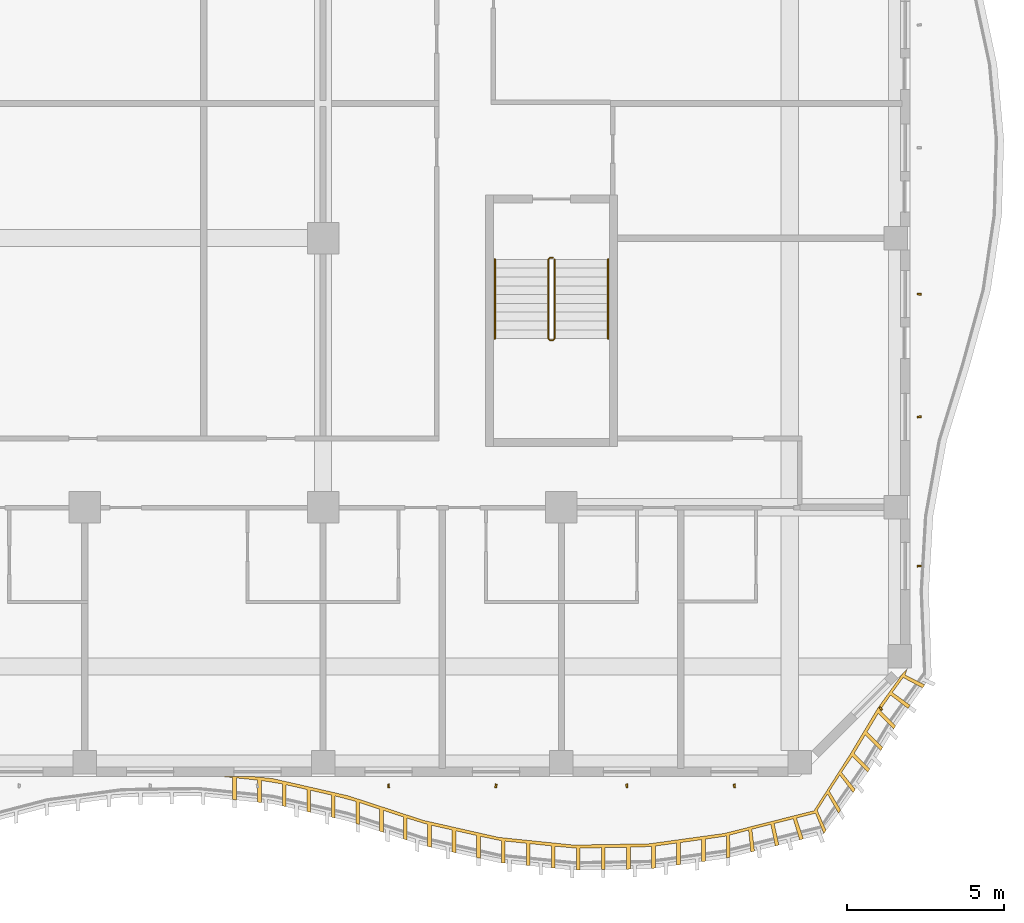
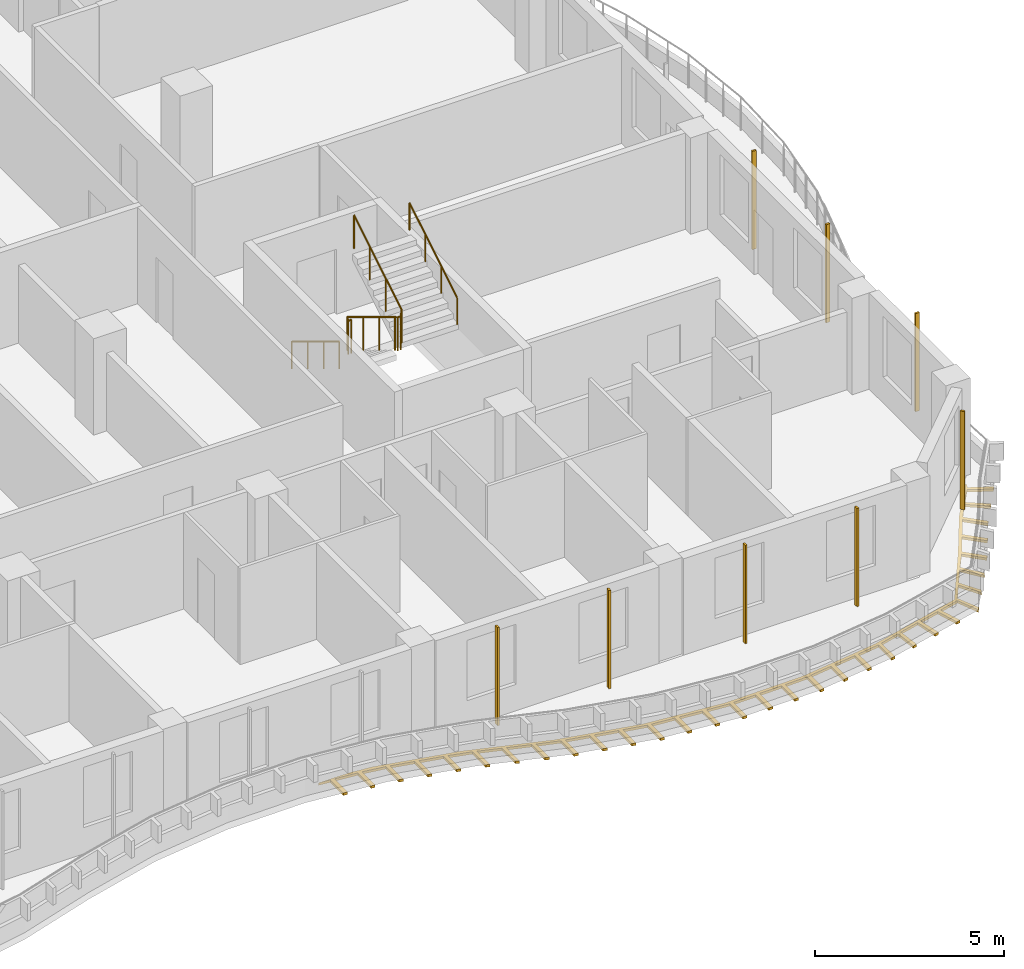
# One storey, part 18 of 21: 9 shading devices, 3 railings.
"""IFC4 building model written with IfcOpenShell, lengths in metres."""

from ifc_helpers import new_model, si_unit, direction, frame, origin, origin_2d, place, context, subcontext, project, spatial, polyline, rectangle, circle, outline, extrude, source, transform, mapped, material, layer, layer_set, material_profile, profile_set, type_object, element, save


model = new_model("IFC4")

# Units and contexts
model_context = context("Model", 3, precision=1e-05, world=origin(), true_north=direction((0.0, 1.0)))
body_context = subcontext(model_context, "Body", "Model", "MODEL_VIEW")
ifc_project = project(units=[si_unit("LENGTHUNIT", "METRE"), si_unit("AREAUNIT", "SQUARE_METRE"), si_unit("VOLUMEUNIT", "CUBIC_METRE"), si_unit("PLANEANGLEUNIT", "RADIAN"), si_unit("MASSUNIT", "GRAM", prefix="KILO")], contexts=[model_context])

# Site, building, storey
site_placement = place(None, origin())
site = spatial("IfcSite", under=ifc_project, at=site_placement, CompositionType="ELEMENT")
building_placement = place(site_placement, origin())
building = spatial("IfcBuilding", under=site, at=building_placement, Name="Kilnfold Tower and Market Hall", CompositionType="ELEMENT")
storey_placement = place(building_placement, frame((0.0, 0.0, 210.10009765625)))
storey = spatial("IfcBuildingStorey", under=building, at=storey_placement, Name="L51", CompositionType="ELEMENT", Elevation=210.10009765625)

# Railings
ifc_material_1 = material(Name="Stainless steel 316", Category="steel")
railing_type_1 = type_object("IfcRailingType", Name="CORE STAIR GUARD 1100", PredefinedType="GUARDRAIL", material=ifc_material_1)
railing_1_placement = place(storey_placement, frame((19.89990234375, -9.75, 0.0)))
element("IfcRailing", 1, at=railing_1_placement, inside=storey, type_object=railing_type_1, Name="L51 ST4 stair guard 1", PredefinedType="GUARDRAIL", context=body_context, shape_type="SweptSolid", body=[
    extrude(circle(Radius=0.02392578125, at=origin_2d()), frame((0.0, 0.0, 1.076171875), z_axis=(-1.0, 0.0, 0.0), x_axis=(0.0, -1.0, 0.0)), (0.0, 0.0, 1.0), 0.099853515625),
    extrude(circle(Radius=0.02392578125, at=origin_2d()), frame((-0.099853515625, 0.0, 1.076171875), z_axis=(-0.271895245746, -0.271895245746, 0.923117517265), x_axis=(0.707106781187, -0.707106781187, 0.0)), (0.0, 0.0, 1.0), 0.18408203125),
    extrude(circle(Radius=0.02392578125, at=origin_2d()), frame((-0.14990234375, -0.050048828125, 1.24609375), z_axis=(0.0, -0.85478489116, 0.518982456201), x_axis=(1.0, 0.0, 0.0)), (0.0, 0.0, 1.0), 2.9482421875),
    extrude(circle(Radius=0.02392578125, at=origin_2d()), frame((-0.14990234375, -2.570068359375, 2.77587890625), z_axis=(0.707106781187, -0.707106781187, 0.0), x_axis=(0.707106781187, 0.707106781187, 0.0)), (0.0, 0.0, 1.0), 0.07080078125),
    extrude(circle(Radius=0.02392578125, at=origin_2d()), frame((-0.099853515625, -2.6201171875, 2.77587890625), z_axis=(1.0, 0.0, 0.0), x_axis=(0.0, 1.0, 0.0)), (0.0, 0.0, 1.0), 0.099853515625),
    extrude(circle(Radius=0.02392578125, at=origin_2d()), frame((0.0, -2.6201171875, 2.77587890625), z_axis=(0.271895245746, 0.271895245746, 0.923117517265), x_axis=(-0.707106781187, 0.707106781187, 0.0)), (0.0, 0.0, 1.0), 0.18408203125),
    extrude(circle(Radius=0.02392578125, at=origin_2d()), frame((0.050048828125, -2.570068359375, 2.94580078125), z_axis=(0.0, 0.85478489116, 0.518982456201), x_axis=(-1.0, 0.0, 0.0)), (0.0, 0.0, 1.0), 2.9482421875),
    extrude(circle(Radius=0.02099609375, at=origin_2d()), origin(), (0.0, 0.0, 1.0), 1.052001953125),
    extrude(circle(Radius=0.02099609375, at=origin_2d()), frame((-0.099853515625, 0.0, 0.0)), (0.0, 0.0, 1.0), 1.052001953125),
    extrude(circle(Radius=0.02099609375, at=origin_2d()), frame((-0.14990234375, -0.050048828125, 0.169921875)), (0.0, 0.0, 1.0), 1.052001953125),
    extrude(circle(Radius=0.02099609375, at=origin_2d()), frame((-0.14990234375, -0.89013671875, 0.679931640625)), (0.0, 0.0, 1.0), 1.052001953125),
    extrude(circle(Radius=0.02099609375, at=origin_2d()), frame((-0.14990234375, -1.72998046875, 1.18994140625)), (0.0, 0.0, 1.0), 1.052001953125),
    extrude(circle(Radius=0.02099609375, at=origin_2d()), frame((-0.14990234375, -2.570068359375, 1.699951171875)), (0.0, 0.0, 1.0), 1.052001953125),
    extrude(circle(Radius=0.02099609375, at=origin_2d()), frame((-0.099853515625, -2.6201171875, 1.699951171875)), (0.0, 0.0, 1.0), 1.052001953125),
    extrude(circle(Radius=0.02099609375, at=origin_2d()), frame((0.0, -2.6201171875, 1.699951171875)), (0.0, 0.0, 1.0), 1.052001953125),
    extrude(circle(Radius=0.02099609375, at=origin_2d()), frame((0.050048828125, -2.570068359375, 1.869873046875)), (0.0, 0.0, 1.0), 1.052001953125),
    extrude(circle(Radius=0.02099609375, at=origin_2d()), frame((0.050048828125, -1.72998046875, 2.3798828125)), (0.0, 0.0, 1.0), 1.052001953125),
    extrude(circle(Radius=0.02099609375, at=origin_2d()), frame((0.050048828125, -0.89013671875, 2.889892578125)), (0.0, 0.0, 1.0), 1.052001953125),
    extrude(circle(Radius=0.02099609375, at=origin_2d()), frame((0.050048828125, -0.050048828125, 3.39990234375)), (0.0, 0.0, 1.0), 1.052001953125),
])
ifc_material_2 = material(Name="Stainless steel 316", Category="steel")
railing_type_2 = type_object("IfcRailingType", Name="CORE STAIR HANDRAIL 900", PredefinedType="HANDRAIL", material=ifc_material_2)
railing_2_placement = place(storey_placement, frame((18.050048828125, -9.800048828125, 0.169921875)))
element("IfcRailing", 2, at=railing_2_placement, inside=storey, type_object=railing_type_2, Name="L51 ST4 stair handrail 1", PredefinedType="HANDRAIL", context=body_context, shape_type="SweptSolid", body=[
    extrude(circle(Radius=0.02392578125, at=origin_2d()), frame((0.0, 0.0, 0.8759765625), z_axis=(0.0, -0.85478489116, 0.518982456201), x_axis=(1.0, 0.0, 0.0)), (0.0, 0.0, 1.0), 2.9482421875),
    extrude(circle(Radius=0.02099609375, at=origin_2d()), origin(), (0.0, 0.0, 1.0), 0.851806640625),
    extrude(circle(Radius=0.02099609375, at=origin_2d()), frame((0.0, -0.840087890625, 0.510009765625)), (0.0, 0.0, 1.0), 0.851806640625),
    extrude(circle(Radius=0.02099609375, at=origin_2d()), frame((0.0, -1.679931640625, 1.02001953125)), (0.0, 0.0, 1.0), 0.851806640625),
    extrude(circle(Radius=0.02099609375, at=origin_2d()), frame((0.0, -2.52001953125, 1.530029296875)), (0.0, 0.0, 1.0), 0.851806640625),
])
railing_3_placement = place(storey_placement, frame((21.64990234375, -12.320068359375, 1.869873046875)))
element("IfcRailing", 3, at=railing_3_placement, inside=storey, type_object=railing_type_2, Name="L51 ST4 stair handrail 2", PredefinedType="HANDRAIL", context=body_context, shape_type="SweptSolid", body=[
    extrude(circle(Radius=0.02392578125, at=origin_2d()), frame((0.0, 0.0, 0.8759765625), z_axis=(0.0, 0.85478489116, 0.518982456201), x_axis=(-1.0, 0.0, 0.0)), (0.0, 0.0, 1.0), 2.9482421875),
    extrude(circle(Radius=0.02099609375, at=origin_2d()), origin(), (0.0, 0.0, 1.0), 0.851806640625),
    extrude(circle(Radius=0.02099609375, at=origin_2d()), frame((0.0, 0.840087890625, 0.510009765625)), (0.0, 0.0, 1.0), 0.851806640625),
    extrude(circle(Radius=0.02099609375, at=origin_2d()), frame((0.0, 1.679931640625, 1.02001953125)), (0.0, 0.0, 1.0), 0.851806640625),
    extrude(circle(Radius=0.02099609375, at=origin_2d()), frame((0.0, 2.52001953125, 1.530029296875)), (0.0, 0.0, 1.0), 0.851806640625),
])

# Shading devices
ifc_material_3 = material(Name="Terracotta", Category="masonry")
ifc_material_profile = material_profile(ifc_material_3, rectangle(XDim=0.06005859375, YDim=0.1201171875, at=origin_2d()), Name="BAG 60x120")
ifc_profile_set = profile_set([ifc_material_profile], Name="Terracotta")
shading_device_type_1 = type_object("IfcShadingDeviceType", Name="BAGUETTE", PredefinedType="USERDEFINED", material=ifc_profile_set)
shared_shape_1 = source(origin(), body_context, "Body", "SweptSolid", [
    extrude(rectangle(XDim=0.06005859375, YDim=0.1201171875, at=origin_2d()), origin(), (0.0, 0.0, 1.0), 3.179931640625),
])
for number, where, z_axis, x_axis, name in (
    (4, (14.666748046875, -26.550048828125, 0.0), (0.0, 0.0, 1.0), (0.999907550523, 0.013597441161, 0.0), "Terracotta baguette L51 S"),
    (5, (18.083251953125, -26.550048828125, 0.0), (0.0, 0.0, 1.0), (0.99044386193, -0.137916483301, 0.0), "Terracotta baguette L51 S"),
    (6, (22.25, -26.550048828125, 0.0), (0.0, 0.0, 1.0), (0.999739352141, 0.022830413502, 0.0), "Terracotta baguette L51 S"),
    (7, (25.666748046875, -26.550048828125, 0.0), (0.0, 0.0, 1.0), (0.990423631673, 0.138061688472, 0.0), "Terracotta baguette L51 S"),
    (8, (30.329833984375, -24.094482421875, 0.0), (0.0, 0.0, 1.0), (0.784831535066, 0.619709174989, 0.0), "Terracotta baguette L51 SE"),
    (9, (31.550048828125, -19.556884765625, 0.0), (0.0, 0.0, 1.0), (-0.000560250661, 0.99999984306, 0.0), "Terracotta baguette L51 E"),
    (10, (31.550048828125, -14.8125, 0.0), (0.0, 0.0, 1.0), (-0.117842440639, 0.993032305207, 0.0), "Terracotta baguette L51 E"),
    (11, (31.550048828125, -10.90625, 0.0), (0.0, 0.0, 1.0), (0.09450099984, 0.995524766658, 0.0), "Terracotta baguette L51 E"),
):
    element("IfcShadingDevice", number, at=place(storey_placement, frame(where, z_axis=z_axis, x_axis=x_axis)), inside=storey, type_object=shading_device_type_1, Name=name, ObjectType="BAGUETTE", PredefinedType="USERDEFINED", context=body_context, shape_type="MappedRepresentation", body=[
        mapped(shared_shape_1, transform((0.0, 0.0, 0.0))),
    ])
ifc_material_4 = material(Name="Bronze anodised aluminium", Category="aluminium")
ifc_layer = layer(ifc_material_4, 0.080078125)
ifc_layer_set = layer_set([ifc_layer], Name="Bronze anodised aluminium")
shading_device_type_2 = type_object("IfcShadingDeviceType", Name="BRONZE SLAT SOFFIT 80", PredefinedType="USERDEFINED", material=ifc_layer_set)
shared_shape_2 = source(origin(), body_context, "Body", "SweptSolid", [
    extrude(outline(polyline([(10.98681640625, -26.318603515625), (13.381591796875, -26.864990234375), (15.7763671875, -27.646484375), (18.171142578125, -28.187744140625), (20.56591796875, -28.43212890625), (22.96044921875, -28.390625), (25.355224609375, -28.06103515625), (28.201171875, -27.339111328125), (29.36083984375, -25.52734375), (30.2353515625, -24.068603515625), (31.017578125, -22.982421875), (31.156494140625, -22.843505859375), (31.099365234375, -23.022216796875), (31.724853515625, -23.33642578125), (31.6552734375, -23.43408203125), (31.03759765625, -23.10498046875), (30.694091796875, -23.577392578125), (31.260986328125, -23.988037109375), (31.19140625, -24.0859375), (30.634765625, -23.66162109375), (30.302490234375, -24.145263671875), (30.797607421875, -24.64013671875), (30.73583984375, -24.7431640625), (30.24072265625, -24.248291015625), (29.89111328125, -24.831298828125), (30.38623046875, -25.326416015625), (30.324462890625, -25.42919921875), (29.82958984375, -24.934326171875), (29.479736328125, -25.517578125), (29.974853515625, -26.012451171875), (29.911376953125, -26.1142578125), (29.41845703125, -25.6171875), (29.07958984375, -26.119873046875), (29.515869140625, -26.66748046875), (29.446044921875, -26.76513671875), (29.020751953125, -26.209228515625), (28.689208984375, -26.71875), (29.050537109375, -27.318115234375), (28.980712890625, -27.415771484375), (28.631103515625, -26.809326171875), (28.3037109375, -27.328125), (28.585205078125, -27.968994140625), (28.515380859375, -28.066650390625), (28.24609375, -27.42041015625), (27.6455078125, -27.57275390625), (27.861083984375, -28.23876953125), (27.74462890625, -28.267578125), (27.538818359375, -27.5986328125), (26.934814453125, -27.747802734375), (27.084716796875, -28.431396484375), (26.96826171875, -28.46044921875), (26.828369140625, -27.7744140625), (26.225830078125, -27.92919921875), (26.308349609375, -28.624267578125), (26.19189453125, -28.6533203125), (26.11962890625, -27.95703125), (25.516845703125, -28.1171875), (25.53173828125, -28.817138671875), (25.415283203125, -28.84619140625), (25.410400390625, -28.14599609375), (24.742919921875, -28.245361328125), (24.742919921875, -28.9453125), (24.6240234375, -28.961669921875), (24.6240234375, -28.26171875), (23.950439453125, -28.3544921875), (23.950439453125, -29.054443359375), (23.83154296875, -29.07080078125), (23.83154296875, -28.37060546875), (23.157958984375, -28.46337890625), (23.157958984375, -29.163330078125), (23.0390625, -29.1796875), (23.0390625, -28.479736328125), (22.35986328125, -28.5009765625), (22.35986328125, -29.200927734375), (22.239990234375, -29.203125), (22.239990234375, -28.503173828125), (21.56005859375, -28.514892578125), (21.56005859375, -29.21484375), (21.43994140625, -29.217041015625), (21.43994140625, -28.51708984375), (20.760009765625, -28.52880859375), (20.760009765625, -29.228759765625), (20.64013671875, -29.23095703125), (20.64013671875, -28.531005859375), (19.96337890625, -28.470703125), (19.96337890625, -29.170654296875), (19.843994140625, -29.158447265625), (19.843994140625, -28.45849609375), (19.16748046875, -28.389404296875), (19.16748046875, -29.08935546875), (19.048095703125, -29.0771484375), (19.048095703125, -28.377197265625), (18.37158203125, -28.30810546875), (18.37158203125, -29.00830078125), (18.252197265625, -28.99609375), (18.252197265625, -28.2958984375), (17.58740234375, -28.15576171875), (17.58740234375, -28.855712890625), (17.47021484375, -28.829345703125), (17.47021484375, -28.12939453125), (16.806884765625, -27.9794921875), (16.806884765625, -28.679443359375), (16.7919921875, -28.676025390625), (16.68994140625, -28.65283203125), (16.68994140625, -27.952880859375), (16.026611328125, -27.802978515625), (16.026611328125, -28.5029296875), (15.90966796875, -28.4765625), (15.90966796875, -27.776611328125), (15.259765625, -27.577880859375), (15.259765625, -28.27783203125), (15.145751953125, -28.240478515625), (15.145751953125, -27.54052734375), (14.499267578125, -27.32958984375), (14.499267578125, -28.02978515625), (14.38525390625, -27.992431640625), (14.38525390625, -27.29248046875), (13.73876953125, -27.08154296875), (13.73876953125, -27.781494140625), (13.624755859375, -27.744140625), (13.624755859375, -27.044189453125), (12.968017578125, -26.87060546875), (12.968017578125, -27.570556640625), (12.850830078125, -27.543701171875), (12.850830078125, -26.84375), (12.18798828125, -26.692626953125), (12.18798828125, -27.392578125), (12.071044921875, -27.365966796875), (12.071044921875, -26.666015625), (11.407958984375, -26.5146484375), (11.407958984375, -27.214599609375), (11.291015625, -27.18798828125), (11.291015625, -26.488037109375), (10.620849609375, -26.380615234375), (10.620849609375, -27.08056640625), (10.50146484375, -27.068115234375), (10.50146484375, -26.3681640625), (9.8251953125, -26.2978515625), (9.8251953125, -26.997802734375), (9.705810546875, -26.9853515625), (9.705810546875, -26.285400390625), (9.365966796875, -26.25), (10.327392578125, -26.25), (10.98681640625, -26.318603515625)])), origin(), (0.0, 0.0, 1.0), 0.079833984375),
])
shading_device_placement = place(storey_placement, frame((0.0, 0.0, -0.300048828125)))
element("IfcShadingDevice", 12, at=shading_device_placement, inside=storey, type_object=shading_device_type_2, Name="Balcony soffit slats L51", ObjectType="SLAT", PredefinedType="USERDEFINED", context=body_context, shape_type="MappedRepresentation", body=[
    mapped(shared_shape_2, transform((0.0, 0.0, 0.0))),
])

save(model, "model.ifc")
